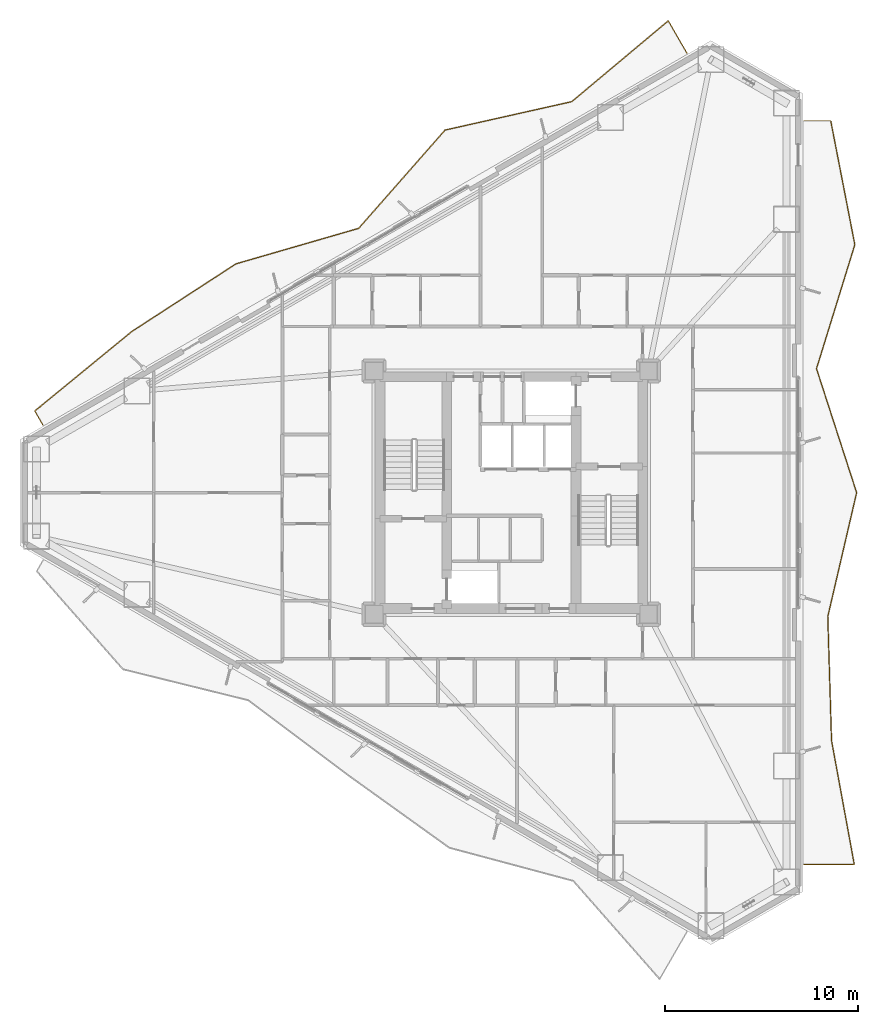
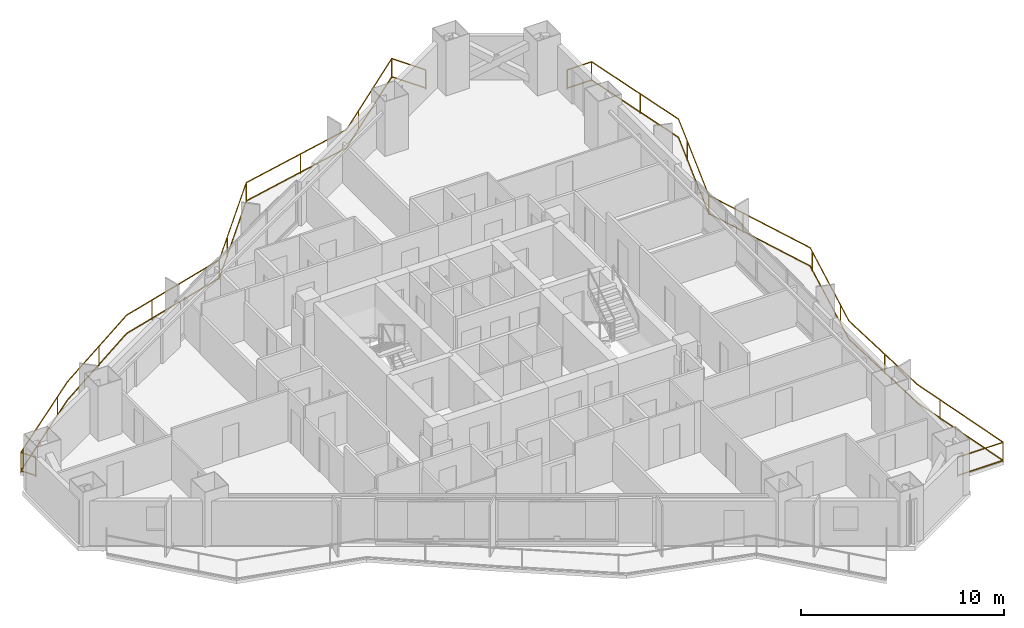
# One storey, part 19 of 19: 2 railings.
"""IFC4 building model written with IfcOpenShell, lengths in metres."""

from ifc_helpers import new_model, si_unit, direction, frame, origin, origin_2d, place, context, subcontext, project, spatial, rectangle, extrude, material, type_object, element, save


model = new_model("IFC4")

# Units and contexts
model_context = context("Model", 3, precision=1e-05, world=origin(), true_north=direction((0.0, 1.0)))
body_context = subcontext(model_context, "Body", "Model", "MODEL_VIEW")
ifc_project = project(units=[si_unit("LENGTHUNIT", "METRE"), si_unit("AREAUNIT", "SQUARE_METRE"), si_unit("VOLUMEUNIT", "CUBIC_METRE"), si_unit("PLANEANGLEUNIT", "RADIAN"), si_unit("MASSUNIT", "GRAM", prefix="KILO")], contexts=[model_context])

# Site, building, storey
site_placement = place(None, origin())
site = spatial("IfcSite", under=ifc_project, at=site_placement, CompositionType="ELEMENT")
building_placement = place(site_placement, origin())
building = spatial("IfcBuilding", under=site, at=building_placement, Name="Mersakhor Tower and Convention Hall", CompositionType="ELEMENT")
storey_placement = place(building_placement, frame((0.0, 0.0, 48.89990234375)))
storey = spatial("IfcBuildingStorey", under=building, at=storey_placement, Name="L13", CompositionType="ELEMENT", Elevation=48.89990234375)

# Railings
ifc_material = material(Name="Powder-coated galvanised steel and laminated glass balustrade", Category="steel")
railing_type = type_object("IfcRailingType", Name="RL-BAL-1200", PredefinedType="BALUSTRADE", material=ifc_material)
railing_1_placement = place(storey_placement, frame((38.099609375, 49.497314453125, 0.0)))
element("IfcRailing", 1, at=railing_1_placement, inside=storey, type_object=railing_type, Name="L13 Sinusoidal Balcony Balustrade F1", PredefinedType="BALUSTRADE", context=body_context, shape_type="SweptSolid", body=[
    extrude(rectangle(XDim=0.048095703125, YDim=0.048095703125, at=origin_2d()), frame((0.0, 0.0, 1.17578125), z_axis=(-0.500023861795, 0.866011626733, 0.0), x_axis=(-0.866011626733, -0.500023861795, 0.0)), (0.0, 0.0, 1.0), 1.93994140625),
    extrude(rectangle(XDim=0.048095703125, YDim=0.048095703125, at=origin_2d()), frame((0.0, 0.0, 0.080078125), z_axis=(-0.500023861795, 0.866011626733, 0.0), x_axis=(-0.866011626733, -0.500023861795, 0.0)), (0.0, 0.0, 1.0), 1.93994140625),
    extrude(rectangle(XDim=0.048095703125, YDim=0.048095703125, at=origin_2d()), frame((-0.969970703125, 1.679931640625, 1.17578125), z_axis=(-0.766683469226, -0.64202527833, 0.0), x_axis=(0.64202527833, -0.766683469226, 0.0)), (0.0, 0.0, 1.0), 6.515869140625),
    extrude(rectangle(XDim=0.048095703125, YDim=0.048095703125, at=origin_2d()), frame((-0.969970703125, 1.679931640625, 0.080078125), z_axis=(-0.766683469226, -0.64202527833, 0.0), x_axis=(0.64202527833, -0.766683469226, 0.0)), (0.0, 0.0, 1.0), 6.515869140625),
    extrude(rectangle(XDim=0.048095703125, YDim=0.048095703125, at=origin_2d()), frame((-5.965576171875, -2.50341796875, 1.17578125), z_axis=(-0.975729553006, -0.218979084367, 0.0), x_axis=(0.218979084367, -0.975729553006, 0.0)), (0.0, 0.0, 1.0), 6.723876953125),
    extrude(rectangle(XDim=0.048095703125, YDim=0.048095703125, at=origin_2d()), frame((-5.965576171875, -2.50341796875, 0.080078125), z_axis=(-0.975729553006, -0.218979084367, 0.0), x_axis=(0.218979084367, -0.975729553006, 0.0)), (0.0, 0.0, 1.0), 6.723876953125),
    extrude(rectangle(XDim=0.048095703125, YDim=0.048095703125, at=origin_2d()), frame((-12.5263671875, -3.975830078125, 1.17578125), z_axis=(-0.6602427576, -0.75105226252, 0.0), x_axis=(0.75105226252, -0.6602427576, 0.0)), (0.0, 0.0, 1.0), 6.77490234375),
    extrude(rectangle(XDim=0.048095703125, YDim=0.048095703125, at=origin_2d()), frame((-12.5263671875, -3.975830078125, 0.080078125), z_axis=(-0.6602427576, -0.75105226252, 0.0), x_axis=(0.75105226252, -0.6602427576, 0.0)), (0.0, 0.0, 1.0), 6.77490234375),
    extrude(rectangle(XDim=0.048095703125, YDim=0.048095703125, at=origin_2d()), frame((-16.99951171875, -9.064208984375, 1.17578125), z_axis=(-0.960608640003, -0.277904733229, 0.0), x_axis=(0.277904733229, -0.960608640003, 0.0)), (0.0, 0.0, 1.0), 6.61083984375),
    extrude(rectangle(XDim=0.048095703125, YDim=0.048095703125, at=origin_2d()), frame((-16.99951171875, -9.064208984375, 0.080078125), z_axis=(-0.960608640003, -0.277904733229, 0.0), x_axis=(0.277904733229, -0.960608640003, 0.0)), (0.0, 0.0, 1.0), 6.61083984375),
    extrude(rectangle(XDim=0.048095703125, YDim=0.048095703125, at=origin_2d()), frame((-23.349853515625, -10.9013671875, 1.17578125), z_axis=(-0.838670072284, -0.544639798267, 0.0), x_axis=(0.544639798267, -0.838670072284, 0.0)), (0.0, 0.0, 1.0), 6.4267578125),
    extrude(rectangle(XDim=0.048095703125, YDim=0.048095703125, at=origin_2d()), frame((-23.349853515625, -10.9013671875, 0.080078125), z_axis=(-0.838670072284, -0.544639798267, 0.0), x_axis=(0.544639798267, -0.838670072284, 0.0)), (0.0, 0.0, 1.0), 6.4267578125),
    extrude(rectangle(XDim=0.048095703125, YDim=0.048095703125, at=origin_2d()), frame((-28.73974609375, -14.401611328125, 1.17578125), z_axis=(-0.773624366154, -0.633644490304, 0.0), x_axis=(0.633644490304, -0.773624366154, 0.0)), (0.0, 0.0, 1.0), 6.50390625),
    extrude(rectangle(XDim=0.048095703125, YDim=0.048095703125, at=origin_2d()), frame((-28.73974609375, -14.401611328125, 0.080078125), z_axis=(-0.773624366154, -0.633644490304, 0.0), x_axis=(0.633644490304, -0.773624366154, 0.0)), (0.0, 0.0, 1.0), 6.50390625),
    extrude(rectangle(XDim=0.048095703125, YDim=0.048095703125, at=origin_2d()), frame((-33.771240234375, -18.522705078125, 1.17578125), z_axis=(0.499964420222, -0.866045944804, 0.0), x_axis=(0.866045944804, 0.499964420222, 0.0)), (0.0, 0.0, 1.0), 0.84423828125),
    extrude(rectangle(XDim=0.048095703125, YDim=0.048095703125, at=origin_2d()), frame((-33.771240234375, -18.522705078125, 0.080078125), z_axis=(0.499964420222, -0.866045944804, 0.0), x_axis=(0.866045944804, 0.499964420222, 0.0)), (0.0, 0.0, 1.0), 0.84423828125),
    extrude(rectangle(XDim=0.0419921875, YDim=0.0419921875, at=origin_2d()), origin(), (0.0, 0.0, 1.0), 1.15185546875),
    extrude(rectangle(XDim=0.0419921875, YDim=0.0419921875, at=origin_2d()), frame((-0.969970703125, 1.679931640625, 0.0)), (0.0, 0.0, 1.0), 1.15185546875),
    extrude(rectangle(XDim=0.0419921875, YDim=0.0419921875, at=origin_2d()), frame((-4.650146484375, -1.40185546875, 0.0)), (0.0, 0.0, 1.0), 1.15185546875),
    extrude(rectangle(XDim=0.0419921875, YDim=0.0419921875, at=origin_2d()), frame((-8.974853515625, -3.1787109375, 0.0)), (0.0, 0.0, 1.0), 1.15185546875),
    extrude(rectangle(XDim=0.0419921875, YDim=0.0419921875, at=origin_2d()), frame((-12.5263671875, -3.975830078125, 0.0)), (0.0, 0.0, 1.0), 1.15185546875),
    extrude(rectangle(XDim=0.0419921875, YDim=0.0419921875, at=origin_2d()), frame((-15.695556640625, -7.580810546875, 0.0)), (0.0, 0.0, 1.0), 1.15185546875),
    extrude(rectangle(XDim=0.0419921875, YDim=0.0419921875, at=origin_2d()), frame((-16.99951171875, -9.064208984375, 0.0)), (0.0, 0.0, 1.0), 1.15185546875),
    extrude(rectangle(XDim=0.0419921875, YDim=0.0419921875, at=origin_2d()), frame((-21.6103515625, -10.398193359375, 0.0)), (0.0, 0.0, 1.0), 1.15185546875),
    extrude(rectangle(XDim=0.0419921875, YDim=0.0419921875, at=origin_2d()), frame((-25.85693359375, -12.529541015625, 0.0)), (0.0, 0.0, 1.0), 1.15185546875),
    extrude(rectangle(XDim=0.0419921875, YDim=0.0419921875, at=origin_2d()), frame((-29.7939453125, -15.264892578125, 0.0)), (0.0, 0.0, 1.0), 1.15185546875),
    extrude(rectangle(XDim=0.0419921875, YDim=0.0419921875, at=origin_2d()), frame((-33.50732421875, -18.306396484375, 0.0)), (0.0, 0.0, 1.0), 1.15185546875),
    extrude(rectangle(XDim=0.0419921875, YDim=0.0419921875, at=origin_2d()), frame((-33.771240234375, -18.522705078125, 0.0)), (0.0, 0.0, 1.0), 1.15185546875),
    extrude(rectangle(XDim=0.0419921875, YDim=0.0419921875, at=origin_2d()), frame((-33.34912109375, -19.25390625, 0.0)), (0.0, 0.0, 1.0), 1.15185546875),
])
railing_2_placement = place(storey_placement, frame((44.14990234375, 7.49609375, 0.0)))
element("IfcRailing", 2, at=railing_2_placement, inside=storey, type_object=railing_type, Name="L13 Sinusoidal Balcony Balustrade F2", PredefinedType="BALUSTRADE", context=body_context, shape_type="SweptSolid", body=[
    extrude(rectangle(XDim=0.048095703125, YDim=0.048095703125, at=origin_2d()), frame((0.0, 0.0, 1.17578125), z_axis=(1.0, 0.0, 0.0), x_axis=(0.0, 1.0, 0.0)), (0.0, 0.0, 1.0), 2.607177734375),
    extrude(rectangle(XDim=0.048095703125, YDim=0.048095703125, at=origin_2d()), frame((0.0, 0.0, 0.080078125), z_axis=(1.0, 0.0, 0.0), x_axis=(0.0, 1.0, 0.0)), (0.0, 0.0, 1.0), 2.607177734375),
    extrude(rectangle(XDim=0.048095703125, YDim=0.048095703125, at=origin_2d()), frame((2.607177734375, 0.0, 1.17578125), z_axis=(-0.180636747497, 0.983549879495, 0.0), x_axis=(-0.983549879495, -0.180636747497, 0.0)), (0.0, 0.0, 1.0), 6.525390625),
    extrude(rectangle(XDim=0.048095703125, YDim=0.048095703125, at=origin_2d()), frame((2.607177734375, 0.0, 0.080078125), z_axis=(-0.180636747497, 0.983549879495, 0.0), x_axis=(-0.983549879495, -0.180636747497, 0.0)), (0.0, 0.0, 1.0), 6.525390625),
    extrude(rectangle(XDim=0.048095703125, YDim=0.048095703125, at=origin_2d()), frame((1.428466796875, 6.41796875, 1.17578125), z_axis=(-0.030190127599, 0.999544174209, 0.0), x_axis=(-0.999544174209, -0.030190127599, 0.0)), (0.0, 0.0, 1.0), 6.4208984375),
    extrude(rectangle(XDim=0.048095703125, YDim=0.048095703125, at=origin_2d()), frame((1.428466796875, 6.41796875, 0.080078125), z_axis=(-0.030190127599, 0.999544174209, 0.0), x_axis=(-0.999544174209, -0.030190127599, 0.0)), (0.0, 0.0, 1.0), 6.4208984375),
    extrude(rectangle(XDim=0.048095703125, YDim=0.048095703125, at=origin_2d()), frame((1.234619140625, 12.8359375, 1.17578125), z_axis=(0.226707217047, 0.973962955014, 0.0), x_axis=(-0.973962955014, 0.226707217047, 0.0)), (0.0, 0.0, 1.0), 6.589599609375),
    extrude(rectangle(XDim=0.048095703125, YDim=0.048095703125, at=origin_2d()), frame((1.234619140625, 12.8359375, 0.080078125), z_axis=(0.226707217047, 0.973962955014, 0.0), x_axis=(-0.973962955014, 0.226707217047, 0.0)), (0.0, 0.0, 1.0), 6.589599609375),
    extrude(rectangle(XDim=0.048095703125, YDim=0.048095703125, at=origin_2d()), frame((2.728515625, 19.25390625, 1.17578125), z_axis=(-0.308084286677, 0.951359065917, 0.0), x_axis=(-0.951359065917, -0.308084286677, 0.0)), (0.0, 0.0, 1.0), 6.74609375),
    extrude(rectangle(XDim=0.048095703125, YDim=0.048095703125, at=origin_2d()), frame((2.728515625, 19.25390625, 0.080078125), z_axis=(-0.308084286677, 0.951359065917, 0.0), x_axis=(-0.951359065917, -0.308084286677, 0.0)), (0.0, 0.0, 1.0), 6.74609375),
    extrude(rectangle(XDim=0.048095703125, YDim=0.048095703125, at=origin_2d()), frame((0.650146484375, 25.671875, 1.17578125), z_axis=(0.295459464406, 0.955355276791, 0.0), x_axis=(-0.955355276791, 0.295459464406, 0.0)), (0.0, 0.0, 1.0), 6.7177734375),
    extrude(rectangle(XDim=0.048095703125, YDim=0.048095703125, at=origin_2d()), frame((0.650146484375, 25.671875, 0.080078125), z_axis=(0.295459464406, 0.955355276791, 0.0), x_axis=(-0.955355276791, 0.295459464406, 0.0)), (0.0, 0.0, 1.0), 6.7177734375),
    extrude(rectangle(XDim=0.048095703125, YDim=0.048095703125, at=origin_2d()), frame((2.635009765625, 32.08984375, 1.17578125), z_axis=(-0.190885650335, 0.981612280127, 0.0), x_axis=(-0.981612280127, -0.190885650335, 0.0)), (0.0, 0.0, 1.0), 6.5380859375),
    extrude(rectangle(XDim=0.048095703125, YDim=0.048095703125, at=origin_2d()), frame((2.635009765625, 32.08984375, 0.080078125), z_axis=(-0.190885650335, 0.981612280127, 0.0), x_axis=(-0.981612280127, -0.190885650335, 0.0)), (0.0, 0.0, 1.0), 6.5380859375),
    extrude(rectangle(XDim=0.048095703125, YDim=0.048095703125, at=origin_2d()), frame((1.386962890625, 38.5078125, 1.17578125), z_axis=(-1.0, 0.0, 0.0), x_axis=(0.0, -1.0, 0.0)), (0.0, 0.0, 1.0), 1.386962890625),
    extrude(rectangle(XDim=0.048095703125, YDim=0.048095703125, at=origin_2d()), frame((1.386962890625, 38.5078125, 0.080078125), z_axis=(-1.0, 0.0, 0.0), x_axis=(0.0, -1.0, 0.0)), (0.0, 0.0, 1.0), 1.386962890625),
    extrude(rectangle(XDim=0.0419921875, YDim=0.0419921875, at=origin_2d()), origin(), (0.0, 0.0, 1.0), 1.15185546875),
    extrude(rectangle(XDim=0.0419921875, YDim=0.0419921875, at=origin_2d()), frame((2.607177734375, 0.0, 0.0)), (0.0, 0.0, 1.0), 1.15185546875),
    extrude(rectangle(XDim=0.0419921875, YDim=0.0419921875, at=origin_2d()), frame((1.740234375, 4.720947265625, 0.0)), (0.0, 0.0, 1.0), 1.15185546875),
    extrude(rectangle(XDim=0.0419921875, YDim=0.0419921875, at=origin_2d()), frame((1.335693359375, 9.4912109375, 0.0)), (0.0, 0.0, 1.0), 1.15185546875),
    extrude(rectangle(XDim=0.0419921875, YDim=0.0419921875, at=origin_2d()), frame((1.564208984375, 14.251953125, 0.0)), (0.0, 0.0, 1.0), 1.15185546875),
    extrude(rectangle(XDim=0.0419921875, YDim=0.0419921875, at=origin_2d()), frame((2.65234375, 18.927001953125, 0.0)), (0.0, 0.0, 1.0), 1.15185546875),
    extrude(rectangle(XDim=0.0419921875, YDim=0.0419921875, at=origin_2d()), frame((1.353271484375, 23.5009765625, 0.0)), (0.0, 0.0, 1.0), 1.15185546875),
    extrude(rectangle(XDim=0.0419921875, YDim=0.0419921875, at=origin_2d()), frame((0.650146484375, 25.671875, 0.0)), (0.0, 0.0, 1.0), 1.15185546875),
    extrude(rectangle(XDim=0.0419921875, YDim=0.0419921875, at=origin_2d()), frame((2.068359375, 30.257568359375, 0.0)), (0.0, 0.0, 1.0), 1.15185546875),
    extrude(rectangle(XDim=0.0419921875, YDim=0.0419921875, at=origin_2d()), frame((2.0849609375, 34.9189453125, 0.0)), (0.0, 0.0, 1.0), 1.15185546875),
    extrude(rectangle(XDim=0.0419921875, YDim=0.0419921875, at=origin_2d()), frame((1.386962890625, 38.5078125, 0.0)), (0.0, 0.0, 1.0), 1.15185546875),
    extrude(rectangle(XDim=0.0419921875, YDim=0.0419921875, at=origin_2d()), frame((0.0, 38.5078125, 0.0)), (0.0, 0.0, 1.0), 1.15185546875),
])

save(model, "model.ifc")
